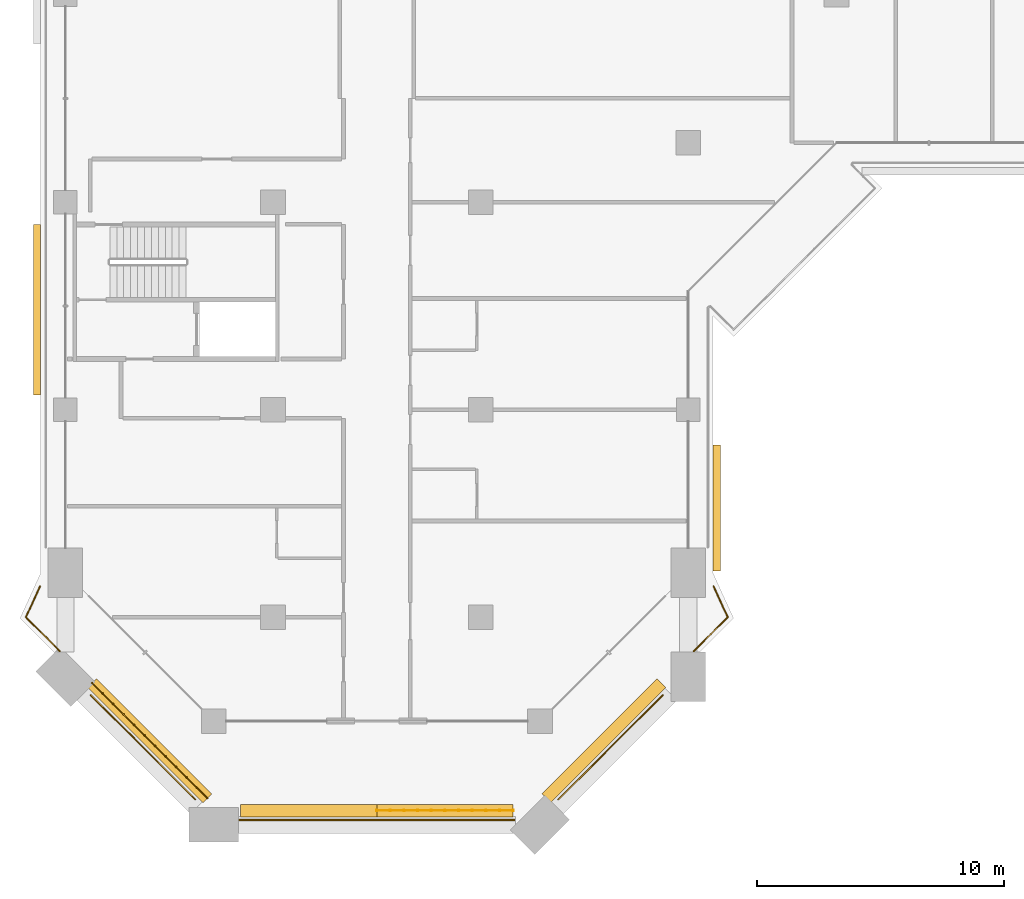
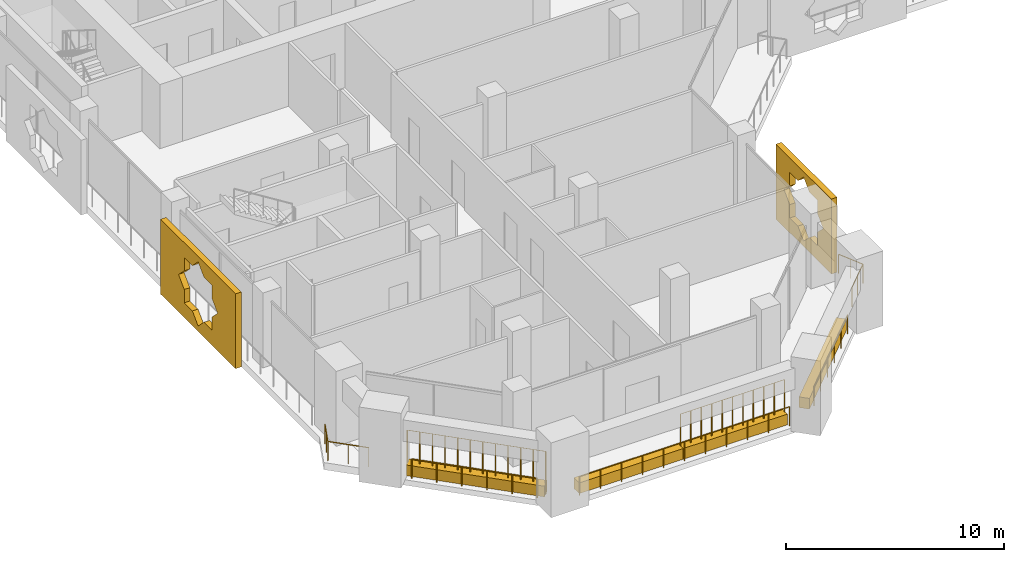
# One storey, part 16 of 22: 7 railings, 6 coverings.
"""IFC4 building model written with IfcOpenShell, lengths in metres."""

import ifcopenshell
import ifcopenshell.guid

model = None  # the IFC model being written
_history = None  # IfcOwnerHistory: only IFC2X3 demands one
_inside = {}  # id of a spatial element -> (the spatial element, [elements in it])
_under = {}  # id of a project, library or spatial element -> (it, [spatial elements below it])
_declared = {}  # id of a project -> (the project, [libraries it declares])
_typed = {}  # id of a type object -> (the type object, [elements of that type])
_made_of = {}  # id of a material, layer set ... -> (it, [elements and type objects made of it])


def new_model(schema):
    """Start an empty IFC model of exactly this schema.

    Asked for "IFC4X3", IfcOpenShell would pick the latest addendum, in which some entities
    have other attributes; the version numbers below select the first issue.
    IFC2X3 requires an IfcOwnerHistory on every rooted entity: one is made here for all.
    """
    global model, _history
    if schema == "IFC4X3":
        model = ifcopenshell.file(schema_version=(4, 3, 0, 0))
    else:
        model = ifcopenshell.file(schema=schema)
    _inside.clear()
    _under.clear()
    _declared.clear()
    _typed.clear()
    _made_of.clear()
    _history = None
    if model.schema == "IFC2X3":
        org = make("IfcOrganization", Name="unknown")
        user = make(
            "IfcPersonAndOrganization",
            ThePerson=make("IfcPerson", FamilyName="unknown"),
            TheOrganization=org,
        )
        app = make(
            "IfcApplication",
            ApplicationDeveloper=org,
            Version="unknown",
            ApplicationFullName="unknown",
            ApplicationIdentifier="unknown",
        )
        _history = make(
            "IfcOwnerHistory",
            OwningUser=user,
            OwningApplication=app,
            ChangeAction="ADDED",
            CreationDate=0,
        )
    return model


def make(cls, **values):
    """One entity of the class cls with the attributes given. An attribute that is None is left unset."""
    return model.create_entity(
        cls, **{name: value for name, value in values.items() if value is not None}
    )


def rooted(cls, **values):
    """An entity with a GlobalId (a new one), such as an element, a storey or a relation."""
    return make(cls, GlobalId=ifcopenshell.guid.new(), OwnerHistory=_history, **values)


def si_unit(unit_type, name, prefix=None):
    """IfcSIUnit, for example si_unit("LENGTHUNIT", "METRE", prefix="MILLI")."""
    return make("IfcSIUnit", UnitType=unit_type, Prefix=prefix, Name=name)


def assignment(units):
    """IfcUnitAssignment: the units of a project."""
    return None if units is None else make("IfcUnitAssignment", Units=units)


def point(xyz):
    """IfcCartesianPoint."""
    return None if xyz is None else make("IfcCartesianPoint", Coordinates=xyz)


def direction(xyz):
    """IfcDirection."""
    return None if xyz is None else make("IfcDirection", DirectionRatios=xyz)


def frame(location, z_axis=None, x_axis=None):
    """IfcAxis2Placement3D, a coordinate frame: its origin and axes. An axis left out is left unset."""
    return make(
        "IfcAxis2Placement3D",
        Location=point(location),
        Axis=direction(z_axis),
        RefDirection=direction(x_axis),
    )


def frame_2d(location, x_axis=None):
    """IfcAxis2Placement2D, a coordinate frame in the plane: its origin and x axis."""
    return make(
        "IfcAxis2Placement2D", Location=point(location), RefDirection=direction(x_axis)
    )


def origin():
    """The frame at (0, 0, 0) with its axes left unset."""
    return frame((0.0, 0.0, 0.0))


def origin_2d():
    """The frame at (0, 0) in the plane with its x axis left unset."""
    return frame_2d((0.0, 0.0))


def place(relative_to, where):
    """IfcLocalPlacement: puts the frame where relative to a parent placement (None: the world)."""
    return make(
        "IfcLocalPlacement", PlacementRelTo=relative_to, RelativePlacement=where
    )


def context(
    kind, dimensions, precision=None, world=None, true_north=None, identifier=None
):
    """IfcGeometricRepresentationContext, for example the 3D "Model" context."""
    return make(
        "IfcGeometricRepresentationContext",
        ContextIdentifier=identifier,
        ContextType=kind,
        CoordinateSpaceDimension=dimensions,
        Precision=precision,
        WorldCoordinateSystem=world,
        TrueNorth=true_north,
    )


def subcontext(parent, identifier, kind, view, scale=None):
    """IfcGeometricRepresentationSubContext, for example "Body" below "Model"."""
    return make(
        "IfcGeometricRepresentationSubContext",
        ContextIdentifier=identifier,
        ContextType=kind,
        ParentContext=parent,
        TargetScale=scale,
        TargetView=view,
    )


def project(units=None, contexts=None):
    """IfcProject with its units and contexts."""
    return rooted(
        "IfcProject",
        Name="project",
        RepresentationContexts=contexts,
        UnitsInContext=assignment(units),
    )


def spatial(cls, under=None, at=None, **own):
    """A site, building, storey or space (cls), placed at a placement, below another one or the project."""
    s = rooted(cls, ObjectPlacement=at, **own)
    if under is not None:
        _under.setdefault(under.id(), (under, []))[1].append(s)
    return s


def polyline(points):
    """IfcPolyline through the points."""
    return make("IfcPolyline", Points=[point(p) for p in points])


def profile(cls, at=None, kind="AREA", **sizes):
    """A parametric profile (cls). Its sizes go by their IFC names, for example OverallWidth=200.0."""
    return make(cls, ProfileType=kind, Position=at, **sizes)


def rectangle(**sizes):
    """IfcRectangleProfileDef."""
    return profile("IfcRectangleProfileDef", **sizes)


def circle(**sizes):
    """IfcCircleProfileDef."""
    return profile("IfcCircleProfileDef", **sizes)


def outline(outer, holes=None, kind="AREA"):
    """IfcArbitraryClosedProfileDef: a profile drawn as a closed curve; with holes, ...WithVoids."""
    if holes is None:
        return make("IfcArbitraryClosedProfileDef", ProfileType=kind, OuterCurve=outer)
    return make(
        "IfcArbitraryProfileDefWithVoids",
        ProfileType=kind,
        OuterCurve=outer,
        InnerCurves=holes,
    )


def extrude(swept, where, along, depth):
    """IfcExtrudedAreaSolid: the profile swept, set in the frame where, extruded along a direction by depth."""
    return make(
        "IfcExtrudedAreaSolid",
        SweptArea=swept,
        Position=where,
        ExtrudedDirection=direction(along),
        Depth=depth,
    )


def shape(context_of_items, identifier, shape_type, items):
    """IfcShapeRepresentation: the items that make up one representation, for example the "Body"."""
    return make(
        "IfcShapeRepresentation",
        ContextOfItems=context_of_items,
        RepresentationIdentifier=identifier,
        RepresentationType=shape_type,
        Items=items,
    )


def material(Name=None, Category=None):
    """IfcMaterial."""
    return make("IfcMaterial", Name=Name, Category=Category)


def material_profile(
    of_material, cross_section, Name=None, Category=None, Priority=None
):
    """IfcMaterialProfile: a cross section and its material."""
    return make(
        "IfcMaterialProfile",
        Name=Name,
        Material=of_material,
        Profile=cross_section,
        Priority=Priority,
        Category=Category,
    )


def profile_set(profiles, Name=None, composite=None):
    """IfcMaterialProfileSet."""
    return make(
        "IfcMaterialProfileSet",
        Name=Name,
        MaterialProfiles=profiles,
        CompositeProfile=composite,
    )


def made_of(thing, what):
    """Note that an element or type object is made of a material, layer set ...; save() writes the relation."""
    if what is not None:
        _made_of.setdefault(what.id(), (what, []))[1].append(thing)
    return thing


def type_object(cls, material=None, **own):
    """A type object (cls), such as IfcWallType, which elements share."""
    return made_of(rooted(cls, **own), material)


def element(
    cls,
    number,
    at=None,
    inside=None,
    cuts=None,
    type_object=None,
    material=None,
    context=None,
    identifier="Body",
    shape_type=None,
    held_by="IfcProductDefinitionShape",
    body=None,
    shapes=None,
    **own,
):
    """One element of the class cls, such as IfcWall. Its Tag is "e" and its number.

    at: its placement. inside: the storey or other place that contains it. cuts: it is an
    opening in that element (IfcRelVoidsElement). A single representation is given by context,
    identifier, shape_type and body (its items); several are given by shapes. held_by: the class
    of the entity that holds the representations. save() writes the other relations.
    """
    e = rooted(cls, Tag="e%d" % number, ObjectPlacement=at, **own)
    if body is not None:
        shapes = [shape(context, identifier, shape_type, body)]
    if shapes is not None:
        e.Representation = make(held_by, Representations=shapes)
    if inside is not None:
        _inside.setdefault(inside.id(), (inside, []))[1].append(e)
    if cuts is not None:
        rooted(
            "IfcRelVoidsElement", RelatingBuildingElement=cuts, RelatedOpeningElement=e
        )
    if type_object is not None:
        _typed.setdefault(type_object.id(), (type_object, []))[1].append(e)
    return made_of(e, material)


def aggregate(whole, parts):
    """IfcRelAggregates: a whole, such as a stair, and the parts it consists of."""
    return rooted("IfcRelAggregates", RelatingObject=whole, RelatedObjects=parts)


def save(model, path):
    """Write the relations noted so far, then the file.

    IfcRelAggregates (storeys below a building ...), IfcRelContainedInSpatialStructure (elements
    in a storey), IfcRelDefinesByType, IfcRelAssociatesMaterial and IfcRelDeclares: one each for
    every whole, place, type object, material and project.
    """
    for whole, parts in _under.values():
        aggregate(whole, parts)
    for where, things in _inside.values():
        rooted(
            "IfcRelContainedInSpatialStructure",
            RelatedElements=things,
            RelatingStructure=where,
        )
    for kind, things in _typed.values():
        rooted("IfcRelDefinesByType", RelatedObjects=things, RelatingType=kind)
    for what, things in _made_of.values():
        rooted("IfcRelAssociatesMaterial", RelatedObjects=things, RelatingMaterial=what)
    for by, libraries in _declared.values():
        rooted("IfcRelDeclares", RelatingContext=by, RelatedDefinitions=libraries)
    model.write(path)


model = new_model("IFC4")

# Units and contexts
model_context = context("Model", 3, precision=1e-05, world=origin(), true_north=direction((0.0, 1.0)))
body_context = subcontext(model_context, "Body", "Model", "MODEL_VIEW")
ifc_project = project(units=[si_unit("LENGTHUNIT", "METRE"), si_unit("AREAUNIT", "SQUARE_METRE"), si_unit("VOLUMEUNIT", "CUBIC_METRE"), si_unit("PLANEANGLEUNIT", "RADIAN"), si_unit("MASSUNIT", "GRAM", prefix="KILO")], contexts=[model_context])

# Site, building, storey
site_placement = place(None, origin())
site = spatial("IfcSite", under=ifc_project, at=site_placement, CompositionType="ELEMENT")
building_placement = place(site_placement, origin())
building = spatial("IfcBuilding", under=site, at=building_placement, Name="Kawkab Arch Medical Tower", CompositionType="ELEMENT")
storey_placement = place(building_placement, frame((0.0, 0.0, 171.0)))
storey = spatial("IfcBuildingStorey", under=building, at=storey_placement, Name="L39", CompositionType="ELEMENT", Elevation=171.0)

# Railings
ifc_material_1 = material(Name="Bronze anodised aluminium guard", Category="aluminium")
railing_type_1 = type_object("IfcRailingType", Name="Loggia and terrace guard 1100", PredefinedType="GUARDRAIL", material=ifc_material_1)
railing_1_placement = place(storey_placement, frame((1.030029296875, -53.547119140625, 0.0)))
element("IfcRailing", 1, at=railing_1_placement, inside=storey, type_object=railing_type_1, Name="Guard L39.TER-01.1.1", PredefinedType="GUARDRAIL", context=body_context, shape_type="SweptSolid", body=[
    extrude(circle(Radius=0.02392578125, at=origin_2d()), frame((0.0, 0.0, 1.076171875), z_axis=(0.707106781187, -0.707106781187, 0.0), x_axis=(0.707106781187, 0.707106781187, 0.0)), (0.0, 0.0, 1.0), 5.97216796875),
    extrude(circle(Radius=0.02099609375, at=origin_2d()), origin(), (0.0, 0.0, 1.0), 1.052001953125),
    extrude(circle(Radius=0.02099609375, at=origin_2d()), frame((0.844482421875, -0.844482421875, 0.0)), (0.0, 0.0, 1.0), 1.052001953125),
    extrude(circle(Radius=0.02099609375, at=origin_2d()), frame((1.689208984375, -1.689208984375, 0.0)), (0.0, 0.0, 1.0), 1.052001953125),
    extrude(circle(Radius=0.02099609375, at=origin_2d()), frame((2.53369140625, -2.53369140625, 0.0)), (0.0, 0.0, 1.0), 1.052001953125),
    extrude(circle(Radius=0.02099609375, at=origin_2d()), frame((3.37841796875, -3.37841796875, 0.0)), (0.0, 0.0, 1.0), 1.052001953125),
    extrude(circle(Radius=0.02099609375, at=origin_2d()), frame((4.222900390625, -4.222900390625, 0.0)), (0.0, 0.0, 1.0), 1.052001953125),
])
railing_2_placement = place(storey_placement, frame((7.030029296875, -58.60009765625, 0.0)))
element("IfcRailing", 2, at=railing_2_placement, inside=storey, type_object=railing_type_1, Name="Guard L39.TER-01.1.2", PredefinedType="GUARDRAIL", context=body_context, shape_type="SweptSolid", body=[
    extrude(circle(Radius=0.02392578125, at=origin_2d()), frame((0.0, 0.0, 1.076171875), z_axis=(1.0, 0.0, 0.0), x_axis=(0.0, 1.0, 0.0)), (0.0, 0.0, 1.0), 11.139892578125),
    extrude(circle(Radius=0.02099609375, at=origin_2d()), origin(), (0.0, 0.0, 1.0), 1.052001953125),
    extrude(circle(Radius=0.02099609375, at=origin_2d()), frame((1.114013671875, 0.0, 0.0)), (0.0, 0.0, 1.0), 1.052001953125),
    extrude(circle(Radius=0.02099609375, at=origin_2d()), frame((2.22802734375, 0.0, 0.0)), (0.0, 0.0, 1.0), 1.052001953125),
    extrude(circle(Radius=0.02099609375, at=origin_2d()), frame((3.342041015625, 0.0, 0.0)), (0.0, 0.0, 1.0), 1.052001953125),
    extrude(circle(Radius=0.02099609375, at=origin_2d()), frame((4.4560546875, 0.0, 0.0)), (0.0, 0.0, 1.0), 1.052001953125),
    extrude(circle(Radius=0.02099609375, at=origin_2d()), frame((5.56982421875, 0.0, 0.0)), (0.0, 0.0, 1.0), 1.052001953125),
    extrude(circle(Radius=0.02099609375, at=origin_2d()), frame((6.683837890625, 0.0, 0.0)), (0.0, 0.0, 1.0), 1.052001953125),
    extrude(circle(Radius=0.02099609375, at=origin_2d()), frame((7.7978515625, 0.0, 0.0)), (0.0, 0.0, 1.0), 1.052001953125),
    extrude(circle(Radius=0.02099609375, at=origin_2d()), frame((8.911865234375, 0.0, 0.0)), (0.0, 0.0, 1.0), 1.052001953125),
    extrude(circle(Radius=0.02099609375, at=origin_2d()), frame((10.02587890625, 0.0, 0.0)), (0.0, 0.0, 1.0), 1.052001953125),
    extrude(circle(Radius=0.02099609375, at=origin_2d()), frame((11.139892578125, 0.0, 0.0)), (0.0, 0.0, 1.0), 1.052001953125),
])
railing_3_placement = place(storey_placement, frame((19.947021484375, -57.77001953125, 0.0)))
element("IfcRailing", 3, at=railing_3_placement, inside=storey, type_object=railing_type_1, Name="Guard L39.TER-01.1.3", PredefinedType="GUARDRAIL", context=body_context, shape_type="SweptSolid", body=[
    extrude(circle(Radius=0.02392578125, at=origin_2d()), frame((0.0, 0.0, 1.076171875), z_axis=(0.707106781187, 0.707106781187, 0.0), x_axis=(-0.707106781187, 0.707106781187, 0.0)), (0.0, 0.0, 1.0), 5.97216796875),
    extrude(circle(Radius=0.02099609375, at=origin_2d()), origin(), (0.0, 0.0, 1.0), 1.052001953125),
    extrude(circle(Radius=0.02099609375, at=origin_2d()), frame((0.844482421875, 0.844482421875, 0.0)), (0.0, 0.0, 1.0), 1.052001953125),
    extrude(circle(Radius=0.02099609375, at=origin_2d()), frame((1.689208984375, 1.689208984375, 0.0)), (0.0, 0.0, 1.0), 1.052001953125),
    extrude(circle(Radius=0.02099609375, at=origin_2d()), frame((2.53369140625, 2.53369140625, 0.0)), (0.0, 0.0, 1.0), 1.052001953125),
    extrude(circle(Radius=0.02099609375, at=origin_2d()), frame((3.37841796875, 3.37841796875, 0.0)), (0.0, 0.0, 1.0), 1.052001953125),
    extrude(circle(Radius=0.02099609375, at=origin_2d()), frame((4.222900390625, 4.222900390625, 0.0)), (0.0, 0.0, 1.0), 1.052001953125),
])
railing_4_placement = place(storey_placement, frame((-0.22412109375, -51.77001953125, 0.0)))
element("IfcRailing", 4, at=railing_4_placement, inside=storey, type_object=railing_type_1, Name="Guard L39.LOG-01.1.1", PredefinedType="GUARDRAIL", context=body_context, shape_type="SweptSolid", body=[
    extrude(circle(Radius=0.02392578125, at=origin_2d()), frame((0.0, 0.0, 1.076171875), z_axis=(-0.706792693026, 0.707420729895, 0.0), x_axis=(-0.707420729895, -0.706792693026, 0.0)), (0.0, 0.0, 1.0), 1.943603515625),
    extrude(circle(Radius=0.02392578125, at=origin_2d()), frame((-1.373779296875, 1.375, 1.076171875), z_axis=(0.414420337807, 0.910085591366, 0.0), x_axis=(-0.910085591366, 0.414420337807, 0.0)), (0.0, 0.0, 1.0), 1.370361328125),
    extrude(circle(Radius=0.02099609375, at=origin_2d()), origin(), (0.0, 0.0, 1.0), 1.052001953125),
    extrude(circle(Radius=0.02099609375, at=origin_2d()), frame((-0.68701171875, 0.6875, 0.0)), (0.0, 0.0, 1.0), 1.052001953125),
    extrude(circle(Radius=0.02099609375, at=origin_2d()), frame((-1.373779296875, 1.375, 0.0)), (0.0, 0.0, 1.0), 1.052001953125),
    extrude(circle(Radius=0.02099609375, at=origin_2d()), frame((-1.08984375, 1.99853515625, 0.0)), (0.0, 0.0, 1.0), 1.052001953125),
    extrude(circle(Radius=0.02099609375, at=origin_2d()), frame((-0.805908203125, 2.6220703125, 0.0)), (0.0, 0.0, 1.0), 1.052001953125),
])
railing_5_placement = place(storey_placement, frame((26.22998046875, -49.14794921875, 0.0)))
element("IfcRailing", 5, at=railing_5_placement, inside=storey, type_object=railing_type_1, Name="Guard L39.LOG-01.1.4", PredefinedType="GUARDRAIL", context=body_context, shape_type="SweptSolid", body=[
    extrude(circle(Radius=0.02392578125, at=origin_2d()), frame((0.0, 0.0, 1.076171875), z_axis=(0.414567890698, -0.910018386629, 0.0), x_axis=(0.910018386629, 0.414567890698, 0.0)), (0.0, 0.0, 1.0), 1.370361328125),
    extrude(circle(Radius=0.02392578125, at=origin_2d()), frame((0.568115234375, -1.2470703125, 1.076171875), z_axis=(-0.706855544123, -0.707357929016, 0.0), x_axis=(0.707357929016, -0.706855544123, 0.0)), (0.0, 0.0, 1.0), 1.94384765625),
    extrude(circle(Radius=0.02099609375, at=origin_2d()), origin(), (0.0, 0.0, 1.0), 1.052001953125),
    extrude(circle(Radius=0.02099609375, at=origin_2d()), frame((0.2841796875, -0.62353515625, 0.0)), (0.0, 0.0, 1.0), 1.052001953125),
    extrude(circle(Radius=0.02099609375, at=origin_2d()), frame((0.568115234375, -1.2470703125, 0.0)), (0.0, 0.0, 1.0), 1.052001953125),
    extrude(circle(Radius=0.02099609375, at=origin_2d()), frame((-0.118896484375, -1.9345703125, 0.0)), (0.0, 0.0, 1.0), 1.052001953125),
    extrude(circle(Radius=0.02099609375, at=origin_2d()), frame((-0.805908203125, -2.6220703125, 0.0)), (0.0, 0.0, 1.0), 1.052001953125),
])

# Coverings
ifc_material_2 = material(Name="Bronze anodised aluminium mashrabiya panel, eight-point star pattern", Category="aluminium")
ifc_material_profile_1 = material_profile(ifc_material_2, outline(polyline([(-2.550048828125, -2.10009765625), (2.550048828125, -2.10009765625), (2.550048828125, 2.10009765625), (-2.550048828125, 2.10009765625), (-2.550048828125, -2.10009765625)]), holes=[polyline([(1.800048828125, 0.0), (1.272705078125, 0.527099609375), (1.272705078125, 1.272705078125), (0.527099609375, 1.272705078125), (0.0, 1.800048828125), (-0.527099609375, 1.272705078125), (-1.272705078125, 1.272705078125), (-1.272705078125, 0.527099609375), (-1.800048828125, 0.0), (-1.272705078125, -0.527099609375), (-1.272705078125, -1.272705078125), (-0.527099609375, -1.272705078125), (0.0, -1.800048828125), (0.527099609375, -1.272705078125), (1.272705078125, -1.272705078125), (1.272705078125, -0.527099609375), (1.800048828125, 0.0)])]), Name="Mashrabiya panel 5100x4200")
ifc_profile_set_1 = profile_set([ifc_material_profile_1], Name="Bronze anodised aluminium mashrabiya panel, eight-point star pattern")
covering_type_1 = type_object("IfcCoveringType", Name="Mashrabiya panel 5100 x 4200", PredefinedType="USERDEFINED", material=ifc_profile_set_1)
covering_1_placement = place(storey_placement, frame((26.199951171875, -45.977294921875, 1.699951171875), z_axis=(1.0, 0.0, 0.0), x_axis=(0.0, 1.0, 0.0)))
element("IfcCovering", 6, at=covering_1_placement, inside=storey, type_object=covering_type_1, Name="Mashrabiya panel L39.LOG-01-01.11", ObjectType="SCREEN", PredefinedType="USERDEFINED", context=body_context, shape_type="SweptSolid", body=[
    extrude(outline(polyline([(-2.550048828125, -2.10009765625), (2.550048828125, -2.10009765625), (2.550048828125, 2.10009765625), (-2.550048828125, 2.10009765625), (-2.550048828125, -2.10009765625)]), holes=[polyline([(1.800048828125, 0.0), (1.272705078125, 0.527099609375), (1.272705078125, 1.272705078125), (0.527099609375, 1.272705078125), (0.0, 1.800048828125), (-0.527099609375, 1.272705078125), (-1.272705078125, 1.272705078125), (-1.272705078125, 0.527099609375), (-1.800048828125, 0.0), (-1.272705078125, -0.527099609375), (-1.272705078125, -1.272705078125), (-0.527099609375, -1.272705078125), (0.0, -1.800048828125), (0.527099609375, -1.272705078125), (1.272705078125, -1.272705078125), (1.272705078125, -0.527099609375), (1.800048828125, 0.0)])]), origin(), (0.0, 0.0, 1.0), 0.300048828125),
])
ifc_material_3 = material(Name="Bronze anodised aluminium mashrabiya panel, eight-point star pattern", Category="aluminium")
ifc_material_profile_2 = material_profile(ifc_material_3, outline(polyline([(-3.449951171875, -2.10009765625), (3.449951171875, -2.10009765625), (3.449951171875, 2.10009765625), (-3.449951171875, 2.10009765625), (-3.449951171875, -2.10009765625)]), holes=[polyline([(1.800048828125, 0.0), (1.272705078125, 0.527099609375), (1.272705078125, 1.272705078125), (0.527099609375, 1.272705078125), (0.0, 1.800048828125), (-0.527099609375, 1.272705078125), (-1.272705078125, 1.272705078125), (-1.272705078125, 0.527099609375), (-1.800048828125, 0.0), (-1.272705078125, -0.527099609375), (-1.272705078125, -1.272705078125), (-0.527099609375, -1.272705078125), (0.0, -1.800048828125), (0.527099609375, -1.272705078125), (1.272705078125, -1.272705078125), (1.272705078125, -0.527099609375), (1.800048828125, 0.0)])]), Name="Mashrabiya panel 6900x4200")
ifc_profile_set_2 = profile_set([ifc_material_profile_2], Name="Bronze anodised aluminium mashrabiya panel, eight-point star pattern")
covering_type_2 = type_object("IfcCoveringType", Name="Mashrabiya panel 6900 x 4200", PredefinedType="USERDEFINED", material=ifc_profile_set_2)
covering_2_placement = place(storey_placement, frame((-1.0, -37.951171875, 1.699951171875), z_axis=(-1.0, 0.0, 0.0), x_axis=(0.0, -1.0, 0.0)))
element("IfcCovering", 7, at=covering_2_placement, inside=storey, type_object=covering_type_2, Name="Mashrabiya panel L39.LOG-01-01.1", ObjectType="SCREEN", PredefinedType="USERDEFINED", context=body_context, shape_type="SweptSolid", body=[
    extrude(outline(polyline([(-3.449951171875, -2.10009765625), (3.449951171875, -2.10009765625), (3.449951171875, 2.10009765625), (-3.449951171875, 2.10009765625), (-3.449951171875, -2.10009765625)]), holes=[polyline([(1.800048828125, 0.0), (1.272705078125, 0.527099609375), (1.272705078125, 1.272705078125), (0.527099609375, 1.272705078125), (0.0, 1.800048828125), (-0.527099609375, 1.272705078125), (-1.272705078125, 1.272705078125), (-1.272705078125, 0.527099609375), (-1.800048828125, 0.0), (-1.272705078125, -0.527099609375), (-1.272705078125, -1.272705078125), (-0.527099609375, -1.272705078125), (0.0, -1.800048828125), (0.527099609375, -1.272705078125), (1.272705078125, -1.272705078125), (1.272705078125, -0.527099609375), (1.800048828125, 0.0)])]), origin(), (0.0, 0.0, 1.0), 0.300048828125),
])
ifc_material_4 = material(Name="Planting soil in a precast trough", Category="concrete")
ifc_material_profile_3 = material_profile(ifc_material_4, rectangle(XDim=0.5, YDim=0.60009765625, at=origin_2d()), Name="Trough 500x600")
ifc_profile_set_3 = profile_set([ifc_material_profile_3], Name="Planting soil in a precast trough")
covering_type_3 = type_object("IfcCoveringType", Name="Planter trough 500 x 600", PredefinedType="USERDEFINED", material=ifc_profile_set_3)
covering_3_placement = place(storey_placement, frame((1.080078125, -53.055908203125, 0.300048828125), z_axis=(0.706866070309, -0.70734741015, 0.0), x_axis=(0.70734741015, 0.706866070309, 0.0)))
element("IfcCovering", 8, at=covering_3_placement, inside=storey, type_object=covering_type_3, Name="Planter L39.TER-01-01.1", ObjectType="PLANTER", PredefinedType="USERDEFINED", context=body_context, shape_type="SweptSolid", body=[
    extrude(rectangle(XDim=0.5, YDim=0.60009765625, at=origin_2d()), origin(), (0.0, 0.0, 1.0), 6.59375),
])
covering_4_placement = place(storey_placement, frame((7.080078125, -58.219970703125, 0.300048828125), z_axis=(1.0, 0.0, 0.0), x_axis=(0.0, 1.0, 0.0)))
element("IfcCovering", 9, at=covering_4_placement, inside=storey, type_object=covering_type_3, Name="Planter L39.TER-01-01.2", ObjectType="PLANTER", PredefinedType="USERDEFINED", context=body_context, shape_type="SweptSolid", body=[
    extrude(rectangle(XDim=0.5, YDim=0.60009765625, at=origin_2d()), origin(), (0.0, 0.0, 1.0), 5.517822265625),
])
covering_5_placement = place(storey_placement, frame((12.597900390625, -58.219970703125, 0.300048828125), z_axis=(1.0, 0.0, 0.0), x_axis=(0.0, 1.0, 0.0)))
element("IfcCovering", 10, at=covering_5_placement, inside=storey, type_object=covering_type_3, Name="Planter L39.TER-01-01.3", ObjectType="PLANTER", PredefinedType="USERDEFINED", context=body_context, shape_type="SweptSolid", body=[
    extrude(rectangle(XDim=0.5, YDim=0.60009765625, at=origin_2d()), origin(), (0.0, 0.0, 1.0), 5.522216796875),
])
covering_6_placement = place(storey_placement, frame((19.4560546875, -57.719970703125, 0.300048828125), z_axis=(0.70734741015, 0.706866070309, 0.0), x_axis=(-0.706866070309, 0.70734741015, 0.0)))
element("IfcCovering", 11, at=covering_6_placement, inside=storey, type_object=covering_type_3, Name="Planter L39.TER-01-01.4", ObjectType="PLANTER", PredefinedType="USERDEFINED", context=body_context, shape_type="SweptSolid", body=[
    extrude(rectangle(XDim=0.5, YDim=0.60009765625, at=origin_2d()), origin(), (0.0, 0.0, 1.0), 6.59375),
])

# Railings
ifc_material_5 = material(Name="Bronze anodised aluminium trellis for climbing plants", Category="aluminium")
railing_type_2 = type_object("IfcRailingType", Name="Planting trellis 2400", PredefinedType="USERDEFINED", material=ifc_material_5)
railing_6_placement = place(storey_placement, frame((1.080078125, -53.055908203125, 0.0)))
element("IfcRailing", 12, at=railing_6_placement, inside=storey, type_object=railing_type_2, Name="Planting trellis L39.TER-01-01.1", ObjectType="TRELLIS", PredefinedType="USERDEFINED", context=body_context, shape_type="SweptSolid", body=[
    extrude(circle(Radius=0.01513671875, at=origin_2d()), frame((0.0, 0.0, 2.384765625), z_axis=(0.706866070309, -0.70734741015, 0.0), x_axis=(0.70734741015, 0.706866070309, 0.0)), (0.0, 0.0, 1.0), 6.59375),
    extrude(circle(Radius=0.030029296875, at=origin_2d()), origin(), (0.0, 0.0, 1.0), 2.369873046875),
    extrude(circle(Radius=0.030029296875, at=origin_2d()), frame((0.423828125, -0.424072265625, 0.0)), (0.0, 0.0, 1.0), 2.369873046875),
    extrude(circle(Radius=0.030029296875, at=origin_2d()), frame((0.847412109375, -0.847900390625, 0.0)), (0.0, 0.0, 1.0), 2.369873046875),
    extrude(circle(Radius=0.030029296875, at=origin_2d()), frame((1.271240234375, -1.27197265625, 0.0)), (0.0, 0.0, 1.0), 2.369873046875),
    extrude(circle(Radius=0.030029296875, at=origin_2d()), frame((1.69482421875, -1.696044921875, 0.0)), (0.0, 0.0, 1.0), 2.369873046875),
    extrude(circle(Radius=0.030029296875, at=origin_2d()), frame((2.11865234375, -2.1201171875, 0.0)), (0.0, 0.0, 1.0), 2.369873046875),
    extrude(circle(Radius=0.030029296875, at=origin_2d()), frame((2.542236328125, -2.5439453125, 0.0)), (0.0, 0.0, 1.0), 2.369873046875),
    extrude(circle(Radius=0.030029296875, at=origin_2d()), frame((2.966064453125, -2.968017578125, 0.0)), (0.0, 0.0, 1.0), 2.369873046875),
    extrude(circle(Radius=0.030029296875, at=origin_2d()), frame((3.3896484375, -3.39208984375, 0.0)), (0.0, 0.0, 1.0), 2.369873046875),
    extrude(circle(Radius=0.030029296875, at=origin_2d()), frame((3.8134765625, -3.816162109375, 0.0)), (0.0, 0.0, 1.0), 2.369873046875),
    extrude(circle(Radius=0.030029296875, at=origin_2d()), frame((4.237060546875, -4.239990234375, 0.0)), (0.0, 0.0, 1.0), 2.369873046875),
    extrude(circle(Radius=0.030029296875, at=origin_2d()), frame((4.660888671875, -4.6640625, 0.0)), (0.0, 0.0, 1.0), 2.369873046875),
])
railing_7_placement = place(storey_placement, frame((12.597900390625, -58.219970703125, 0.0)))
element("IfcRailing", 13, at=railing_7_placement, inside=storey, type_object=railing_type_2, Name="Planting trellis L39.TER-01-01.3", ObjectType="TRELLIS", PredefinedType="USERDEFINED", context=body_context, shape_type="SweptSolid", body=[
    extrude(circle(Radius=0.01513671875, at=origin_2d()), frame((0.0, 0.0, 2.384765625), z_axis=(1.0, 0.0, 0.0), x_axis=(0.0, 1.0, 0.0)), (0.0, 0.0, 1.0), 5.522216796875),
    extrude(circle(Radius=0.030029296875, at=origin_2d()), origin(), (0.0, 0.0, 1.0), 2.369873046875),
    extrude(circle(Radius=0.030029296875, at=origin_2d()), frame((0.55224609375, 0.0, 0.0)), (0.0, 0.0, 1.0), 2.369873046875),
    extrude(circle(Radius=0.030029296875, at=origin_2d()), frame((1.1044921875, 0.0, 0.0)), (0.0, 0.0, 1.0), 2.369873046875),
    extrude(circle(Radius=0.030029296875, at=origin_2d()), frame((1.65673828125, 0.0, 0.0)), (0.0, 0.0, 1.0), 2.369873046875),
    extrude(circle(Radius=0.030029296875, at=origin_2d()), frame((2.208984375, 0.0, 0.0)), (0.0, 0.0, 1.0), 2.369873046875),
    extrude(circle(Radius=0.030029296875, at=origin_2d()), frame((2.76123046875, 0.0, 0.0)), (0.0, 0.0, 1.0), 2.369873046875),
    extrude(circle(Radius=0.030029296875, at=origin_2d()), frame((3.313232421875, 0.0, 0.0)), (0.0, 0.0, 1.0), 2.369873046875),
    extrude(circle(Radius=0.030029296875, at=origin_2d()), frame((3.865478515625, 0.0, 0.0)), (0.0, 0.0, 1.0), 2.369873046875),
    extrude(circle(Radius=0.030029296875, at=origin_2d()), frame((4.417724609375, 0.0, 0.0)), (0.0, 0.0, 1.0), 2.369873046875),
    extrude(circle(Radius=0.030029296875, at=origin_2d()), frame((4.969970703125, 0.0, 0.0)), (0.0, 0.0, 1.0), 2.369873046875),
    extrude(circle(Radius=0.030029296875, at=origin_2d()), frame((5.522216796875, 0.0, 0.0)), (0.0, 0.0, 1.0), 2.369873046875),
])

save(model, "model.ifc")
